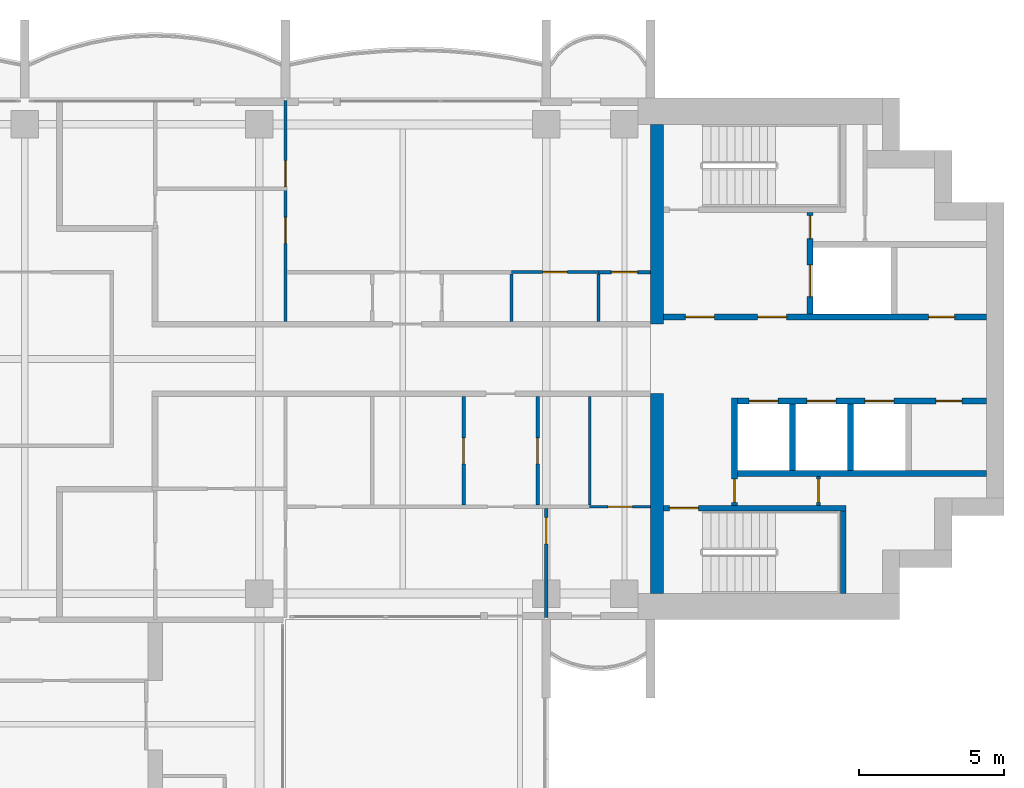
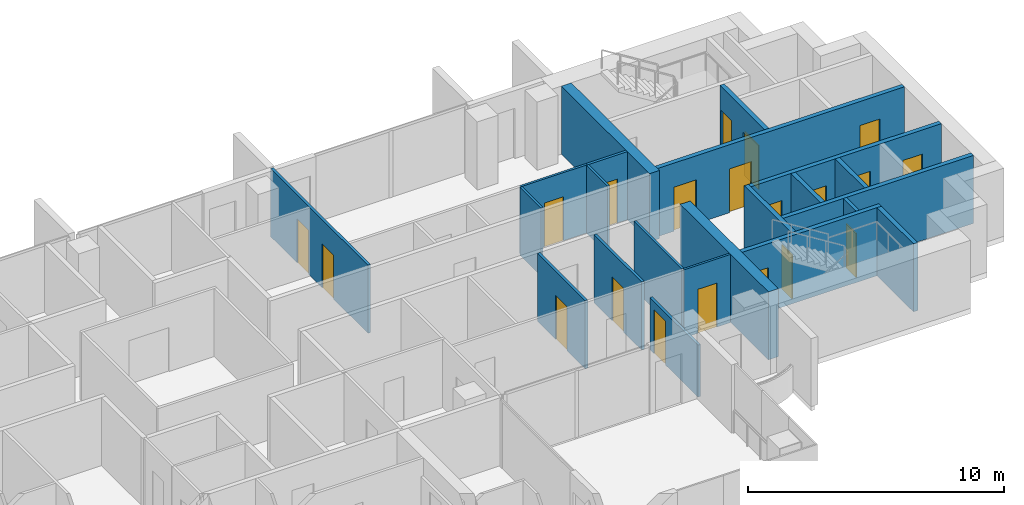
# One storey, part 12 of 17: 22 walls, 20 doors, 20 openings.
"""IFC4 building model written with IfcOpenShell, lengths in metres."""

import ifcopenshell
import ifcopenshell.guid

model = None  # the IFC model being written
_history = None  # IfcOwnerHistory: only IFC2X3 demands one
_inside = {}  # id of a spatial element -> (the spatial element, [elements in it])
_under = {}  # id of a project, library or spatial element -> (it, [spatial elements below it])
_declared = {}  # id of a project -> (the project, [libraries it declares])
_typed = {}  # id of a type object -> (the type object, [elements of that type])
_made_of = {}  # id of a material, layer set ... -> (it, [elements and type objects made of it])


def new_model(schema):
    """Start an empty IFC model of exactly this schema.

    Asked for "IFC4X3", IfcOpenShell would pick the latest addendum, in which some entities
    have other attributes; the version numbers below select the first issue.
    IFC2X3 requires an IfcOwnerHistory on every rooted entity: one is made here for all.
    """
    global model, _history
    if schema == "IFC4X3":
        model = ifcopenshell.file(schema_version=(4, 3, 0, 0))
    else:
        model = ifcopenshell.file(schema=schema)
    _inside.clear()
    _under.clear()
    _declared.clear()
    _typed.clear()
    _made_of.clear()
    _history = None
    if model.schema == "IFC2X3":
        org = make("IfcOrganization", Name="unknown")
        user = make(
            "IfcPersonAndOrganization",
            ThePerson=make("IfcPerson", FamilyName="unknown"),
            TheOrganization=org,
        )
        app = make(
            "IfcApplication",
            ApplicationDeveloper=org,
            Version="unknown",
            ApplicationFullName="unknown",
            ApplicationIdentifier="unknown",
        )
        _history = make(
            "IfcOwnerHistory",
            OwningUser=user,
            OwningApplication=app,
            ChangeAction="ADDED",
            CreationDate=0,
        )
    return model


def make(cls, **values):
    """One entity of the class cls with the attributes given. An attribute that is None is left unset."""
    return model.create_entity(
        cls, **{name: value for name, value in values.items() if value is not None}
    )


def rooted(cls, **values):
    """An entity with a GlobalId (a new one), such as an element, a storey or a relation."""
    return make(cls, GlobalId=ifcopenshell.guid.new(), OwnerHistory=_history, **values)


def si_unit(unit_type, name, prefix=None):
    """IfcSIUnit, for example si_unit("LENGTHUNIT", "METRE", prefix="MILLI")."""
    return make("IfcSIUnit", UnitType=unit_type, Prefix=prefix, Name=name)


def assignment(units):
    """IfcUnitAssignment: the units of a project."""
    return None if units is None else make("IfcUnitAssignment", Units=units)


def point(xyz):
    """IfcCartesianPoint."""
    return None if xyz is None else make("IfcCartesianPoint", Coordinates=xyz)


def direction(xyz):
    """IfcDirection."""
    return None if xyz is None else make("IfcDirection", DirectionRatios=xyz)


def frame(location, z_axis=None, x_axis=None):
    """IfcAxis2Placement3D, a coordinate frame: its origin and axes. An axis left out is left unset."""
    return make(
        "IfcAxis2Placement3D",
        Location=point(location),
        Axis=direction(z_axis),
        RefDirection=direction(x_axis),
    )


def frame_2d(location, x_axis=None):
    """IfcAxis2Placement2D, a coordinate frame in the plane: its origin and x axis."""
    return make(
        "IfcAxis2Placement2D", Location=point(location), RefDirection=direction(x_axis)
    )


def origin():
    """The frame at (0, 0, 0) with its axes left unset."""
    return frame((0.0, 0.0, 0.0))


def place(relative_to, where):
    """IfcLocalPlacement: puts the frame where relative to a parent placement (None: the world)."""
    return make(
        "IfcLocalPlacement", PlacementRelTo=relative_to, RelativePlacement=where
    )


def context(
    kind, dimensions, precision=None, world=None, true_north=None, identifier=None
):
    """IfcGeometricRepresentationContext, for example the 3D "Model" context."""
    return make(
        "IfcGeometricRepresentationContext",
        ContextIdentifier=identifier,
        ContextType=kind,
        CoordinateSpaceDimension=dimensions,
        Precision=precision,
        WorldCoordinateSystem=world,
        TrueNorth=true_north,
    )


def subcontext(parent, identifier, kind, view, scale=None):
    """IfcGeometricRepresentationSubContext, for example "Body" below "Model"."""
    return make(
        "IfcGeometricRepresentationSubContext",
        ContextIdentifier=identifier,
        ContextType=kind,
        ParentContext=parent,
        TargetScale=scale,
        TargetView=view,
    )


def project(units=None, contexts=None):
    """IfcProject with its units and contexts."""
    return rooted(
        "IfcProject",
        Name="project",
        RepresentationContexts=contexts,
        UnitsInContext=assignment(units),
    )


def spatial(cls, under=None, at=None, **own):
    """A site, building, storey or space (cls), placed at a placement, below another one or the project."""
    s = rooted(cls, ObjectPlacement=at, **own)
    if under is not None:
        _under.setdefault(under.id(), (under, []))[1].append(s)
    return s


def profile(cls, at=None, kind="AREA", **sizes):
    """A parametric profile (cls). Its sizes go by their IFC names, for example OverallWidth=200.0."""
    return make(cls, ProfileType=kind, Position=at, **sizes)


def rectangle(**sizes):
    """IfcRectangleProfileDef."""
    return profile("IfcRectangleProfileDef", **sizes)


def extrude(swept, where, along, depth):
    """IfcExtrudedAreaSolid: the profile swept, set in the frame where, extruded along a direction by depth."""
    return make(
        "IfcExtrudedAreaSolid",
        SweptArea=swept,
        Position=where,
        ExtrudedDirection=direction(along),
        Depth=depth,
    )


def shape(context_of_items, identifier, shape_type, items):
    """IfcShapeRepresentation: the items that make up one representation, for example the "Body"."""
    return make(
        "IfcShapeRepresentation",
        ContextOfItems=context_of_items,
        RepresentationIdentifier=identifier,
        RepresentationType=shape_type,
        Items=items,
    )


def material(Name=None, Category=None):
    """IfcMaterial."""
    return make("IfcMaterial", Name=Name, Category=Category)


def layer(
    of_material, thickness, ventilated=None, Name=None, Category=None, Priority=None
):
    """IfcMaterialLayer: one layer of a wall or slab, of a material (None: an air gap)."""
    return make(
        "IfcMaterialLayer",
        Material=of_material,
        LayerThickness=thickness,
        IsVentilated=ventilated,
        Name=Name,
        Category=Category,
        Priority=Priority,
    )


def layer_set(layers, Name=None):
    """IfcMaterialLayerSet."""
    return make("IfcMaterialLayerSet", MaterialLayers=layers, LayerSetName=Name)


def made_of(thing, what):
    """Note that an element or type object is made of a material, layer set ...; save() writes the relation."""
    if what is not None:
        _made_of.setdefault(what.id(), (what, []))[1].append(thing)
    return thing


def type_object(cls, material=None, **own):
    """A type object (cls), such as IfcWallType, which elements share."""
    return made_of(rooted(cls, **own), material)


def element(
    cls,
    number,
    at=None,
    inside=None,
    cuts=None,
    type_object=None,
    material=None,
    context=None,
    identifier="Body",
    shape_type=None,
    held_by="IfcProductDefinitionShape",
    body=None,
    shapes=None,
    **own,
):
    """One element of the class cls, such as IfcWall. Its Tag is "e" and its number.

    at: its placement. inside: the storey or other place that contains it. cuts: it is an
    opening in that element (IfcRelVoidsElement). A single representation is given by context,
    identifier, shape_type and body (its items); several are given by shapes. held_by: the class
    of the entity that holds the representations. save() writes the other relations.
    """
    e = rooted(cls, Tag="e%d" % number, ObjectPlacement=at, **own)
    if body is not None:
        shapes = [shape(context, identifier, shape_type, body)]
    if shapes is not None:
        e.Representation = make(held_by, Representations=shapes)
    if inside is not None:
        _inside.setdefault(inside.id(), (inside, []))[1].append(e)
    if cuts is not None:
        rooted(
            "IfcRelVoidsElement", RelatingBuildingElement=cuts, RelatedOpeningElement=e
        )
    if type_object is not None:
        _typed.setdefault(type_object.id(), (type_object, []))[1].append(e)
    return made_of(e, material)


def fill(opening, filler):
    """IfcRelFillsElement: the door or window that sits in an opening."""
    return rooted(
        "IfcRelFillsElement",
        RelatingOpeningElement=opening,
        RelatedBuildingElement=filler,
    )


def aggregate(whole, parts):
    """IfcRelAggregates: a whole, such as a stair, and the parts it consists of."""
    return rooted("IfcRelAggregates", RelatingObject=whole, RelatedObjects=parts)


def save(model, path):
    """Write the relations noted so far, then the file.

    IfcRelAggregates (storeys below a building ...), IfcRelContainedInSpatialStructure (elements
    in a storey), IfcRelDefinesByType, IfcRelAssociatesMaterial and IfcRelDeclares: one each for
    every whole, place, type object, material and project.
    """
    for whole, parts in _under.values():
        aggregate(whole, parts)
    for where, things in _inside.values():
        rooted(
            "IfcRelContainedInSpatialStructure",
            RelatedElements=things,
            RelatingStructure=where,
        )
    for kind, things in _typed.values():
        rooted("IfcRelDefinesByType", RelatedObjects=things, RelatingType=kind)
    for what, things in _made_of.values():
        rooted("IfcRelAssociatesMaterial", RelatedObjects=things, RelatingMaterial=what)
    for by, libraries in _declared.values():
        rooted("IfcRelDeclares", RelatingContext=by, RelatedDefinitions=libraries)
    model.write(path)


model = new_model("IFC4")

# Units and contexts
model_context = context("Model", 3, precision=1e-05, world=origin(), true_north=direction((0.0, 1.0)))
body_context = subcontext(model_context, "Body", "Model", "MODEL_VIEW")
ifc_project = project(units=[si_unit("LENGTHUNIT", "METRE"), si_unit("AREAUNIT", "SQUARE_METRE"), si_unit("VOLUMEUNIT", "CUBIC_METRE"), si_unit("PLANEANGLEUNIT", "RADIAN"), si_unit("MASSUNIT", "GRAM", prefix="KILO")], contexts=[model_context])

# Site, building, storey
site_placement = place(None, origin())
site = spatial("IfcSite", under=ifc_project, at=site_placement, CompositionType="ELEMENT")
building_placement = place(site_placement, origin())
building = spatial("IfcBuilding", under=site, at=building_placement, Name="Perihelion Cross Residences", CompositionType="ELEMENT")
storey_placement = place(building_placement, frame((0.0, 0.0, 212.10009765625)))
storey = spatial("IfcBuildingStorey", under=building, at=storey_placement, Name="L53", CompositionType="ELEMENT", Elevation=212.10009765625)

# Walls
ifc_material_1 = material(Name="Concrete C60/75", Category="concrete")
ifc_layer_1 = layer(ifc_material_1, 0.449951171875)
ifc_layer_set_1 = layer_set([ifc_layer_1], Name="Core wall, inner 450")
wall_type_1 = type_object("IfcWallType", Name="Core wall, inner 450", PredefinedType="SHEAR", material=ifc_layer_set_1)
for number, where, z_axis, x_axis, name in (
    (1, (21.824951171875, -8.10009765625, 0.0), (0.0, 0.0, 1.0), (0.0, 1.0, 0.0), "East core core wall, inner"),
    (2, (21.824951171875, 1.199951171875, 0.0), (0.0, 0.0, 1.0), (0.0, 1.0, 0.0), "East core core wall, inner"),
):
    element("IfcWall", number, at=place(storey_placement, frame(where, z_axis=z_axis, x_axis=x_axis)), inside=storey, type_object=wall_type_1, Name=name, PredefinedType="SHEAR", context=body_context, shape_type="SweptSolid", body=[
        extrude(rectangle(XDim=6.900146484375, YDim=0.449951171875, at=frame_2d((3.4501953125, 0.0))), origin(), (0.0, 0.0, 1.0), 3.25),
    ])

# Wall, opening, door
ifc_material_2 = material(Name="Concrete C50/60", Category="concrete")
ifc_layer_2 = layer(ifc_material_2, 0.199951171875)
ifc_layer_set_2 = layer_set([ifc_layer_2], Name="Lobby wall 200")
wall_type_2 = type_object("IfcWallType", Name="Lobby wall 200", PredefinedType="SOLIDWALL", material=ifc_layer_set_2)
wall_1_placement = place(storey_placement, frame((24.5, -5.050048828125, 0.0), z_axis=(0.0, 0.0, 1.0), x_axis=(0.0, 1.0, 0.0)))
wall_1 = element("IfcWall", 3, at=wall_1_placement, inside=storey, type_object=wall_type_2, Name="East core lobby wall", PredefinedType="SOLIDWALL", context=body_context, shape_type="SweptSolid", body=[
    extrude(rectangle(XDim=3.699951171875, YDim=0.199951171875, at=frame_2d((1.85009765625, 0.0))), origin(), (0.0, 0.0, 1.0), 3.25),
])
opening_1_placement = place(wall_1_placement, frame((0.10009765625, 0.0, 0.0)))
opening_1 = element("IfcOpeningElement", 4, at=opening_1_placement, cuts=wall_1, Name="Opening L53.C08", PredefinedType="OPENING", context=body_context, shape_type="SweptSolid", body=[
    extrude(rectangle(XDim=0.800048828125, YDim=2.10009765625, at=frame_2d((0.39990234375, 1.050048828125))), frame((0.0, 0.10986328125, 0.0), z_axis=(0.0, -1.0, 0.0), x_axis=(1.0, 0.0, 0.0)), (0.0, 0.0, 1.0), 0.219970703125),
])
ifc_material_3 = material(Name="Steel, powder coated", Category="steel")
door_type_1 = type_object("IfcDoorType", Name="Riser door 800", OperationType="SINGLE_SWING_LEFT", PredefinedType="DOOR", material=ifc_material_3)
door_1_placement = place(opening_1_placement, origin())
door_1 = element("IfcDoor", 5, at=door_1_placement, inside=storey, type_object=door_type_1, Name="East core riser door", OperationType="SINGLE_SWING_LEFT", OverallHeight=2.10009765625, OverallWidth=0.800048828125, PredefinedType="DOOR", context=body_context, shape_type="SweptSolid", body=[
    extrude(rectangle(XDim=0.800048828125, YDim=2.10009765625, at=frame_2d((0.39990234375, 1.050048828125))), frame((0.0, 0.02490234375, 0.0), z_axis=(0.0, -1.0, 0.0), x_axis=(1.0, 0.0, 0.0)), (0.0, 0.0, 1.0), 0.050048828125),
])
fill(opening_1, door_1)

# Wall, openings, doors
ifc_material_4 = material(Name="Plasterboard partition")
ifc_layer_3 = layer(ifc_material_4, 0.1201171875)
ifc_layer_set_3 = layer_set([ifc_layer_3], Name="Partition wall 120")
wall_type_3 = type_object("IfcWallType", Name="Partition wall 120", PredefinedType="PARTITIONING", material=ifc_layer_set_3)
wall_2_placement = place(storey_placement, frame((9.0, 1.300048828125, 0.0), z_axis=(0.0, 0.0, 1.0), x_axis=(0.0, 1.0, 0.0)))
wall_2 = element("IfcWall", 6, at=wall_2_placement, inside=storey, type_object=wall_type_3, Name="Partition L53 W024", PredefinedType="PARTITIONING", context=body_context, shape_type="SweptSolid", body=[
    extrude(rectangle(XDim=7.619873046875, YDim=0.1201171875, at=frame_2d((3.81005859375, 0.0))), origin(), (0.0, 0.0, 1.0), 3.25),
])
opening_2_placement = place(wall_2_placement, frame((2.68994140625, 0.0, 0.0)))
opening_2 = element("IfcOpeningElement", 7, at=opening_2_placement, cuts=wall_2, Name="Opening L53.A04", PredefinedType="OPENING", context=body_context, shape_type="SweptSolid", body=[
    extrude(rectangle(XDim=0.89990234375, YDim=2.10009765625, at=frame_2d((0.449951171875, 1.050048828125))), frame((0.0, 0.070068359375, 0.0), z_axis=(0.0, -1.0, 0.0), x_axis=(1.0, 0.0, 0.0)), (0.0, 0.0, 1.0), 0.14013671875),
])
opening_3_placement = place(wall_2_placement, frame((4.64990234375, 0.0, 0.0)))
opening_3 = element("IfcOpeningElement", 8, at=opening_3_placement, cuts=wall_2, Name="Opening L53.A06", PredefinedType="OPENING", context=body_context, shape_type="SweptSolid", body=[
    extrude(rectangle(XDim=0.89990234375, YDim=2.10009765625, at=frame_2d((0.449951171875, 1.050048828125))), frame((0.0, 0.070068359375, 0.0), z_axis=(0.0, -1.0, 0.0), x_axis=(1.0, 0.0, 0.0)), (0.0, 0.0, 1.0), 0.14013671875),
])
ifc_material_5 = material(Name="Timber door leaf", Category="wood")
door_type_2 = type_object("IfcDoorType", Name="Interior room door 900 x 2100", OperationType="SINGLE_SWING_LEFT", PredefinedType="DOOR", material=ifc_material_5)
door_2_placement = place(opening_2_placement, origin())
door_2 = element("IfcDoor", 9, at=door_2_placement, inside=storey, type_object=door_type_2, Name="Door L53.A04", OperationType="SINGLE_SWING_RIGHT", OverallHeight=2.10009765625, OverallWidth=0.89990234375, PredefinedType="DOOR", context=body_context, shape_type="SweptSolid", body=[
    extrude(rectangle(XDim=0.89990234375, YDim=2.10009765625, at=frame_2d((0.449951171875, 1.050048828125))), frame((0.0, 0.02490234375, 0.0), z_axis=(0.0, -1.0, 0.0), x_axis=(1.0, 0.0, 0.0)), (0.0, 0.0, 1.0), 0.050048828125),
])
fill(opening_2, door_2)
door_3_placement = place(opening_3_placement, origin())
door_3 = element("IfcDoor", 10, at=door_3_placement, inside=storey, type_object=door_type_2, Name="Door L53.A06", OperationType="SINGLE_SWING_RIGHT", OverallHeight=2.10009765625, OverallWidth=0.89990234375, PredefinedType="DOOR", context=body_context, shape_type="SweptSolid", body=[
    extrude(rectangle(XDim=0.89990234375, YDim=2.10009765625, at=frame_2d((0.449951171875, 1.050048828125))), frame((0.0, 0.02490234375, 0.0), z_axis=(0.0, -1.0, 0.0), x_axis=(1.0, 0.0, 0.0)), (0.0, 0.0, 1.0), 0.050048828125),
])
fill(opening_3, door_3)

# Wall, opening, door
wall_3_placement = place(storey_placement, frame((19.800048828125, 3.0, 0.0), z_axis=(0.0, 0.0, 1.0), x_axis=(1.0, 0.0, 0.0)))
wall_3 = element("IfcWall", 11, at=wall_3_placement, inside=storey, type_object=wall_type_3, Name="Partition L53 W029", PredefinedType="PARTITIONING", context=body_context, shape_type="SweptSolid", body=[
    extrude(rectangle(XDim=1.800048828125, YDim=0.1201171875, at=frame_2d((0.89990234375, 0.0))), origin(), (0.0, 0.0, 1.0), 3.25),
])
opening_4_placement = place(wall_3_placement, frame((0.449951171875, 0.0, 0.0)))
opening_4 = element("IfcOpeningElement", 12, at=opening_4_placement, cuts=wall_3, Name="Opening L53.A07", PredefinedType="OPENING", context=body_context, shape_type="SweptSolid", body=[
    extrude(rectangle(XDim=0.89990234375, YDim=2.10009765625, at=frame_2d((0.449951171875, 1.050048828125))), frame((0.0, 0.070068359375, 0.0), z_axis=(0.0, -1.0, 0.0), x_axis=(1.0, 0.0, 0.0)), (0.0, 0.0, 1.0), 0.14013671875),
])
door_4_placement = place(opening_4_placement, origin())
door_4 = element("IfcDoor", 13, at=door_4_placement, inside=storey, type_object=door_type_2, Name="Door L53.A07", OperationType="SINGLE_SWING_RIGHT", OverallHeight=2.10009765625, OverallWidth=0.89990234375, PredefinedType="DOOR", context=body_context, shape_type="SweptSolid", body=[
    extrude(rectangle(XDim=0.89990234375, YDim=2.10009765625, at=frame_2d((0.449951171875, 1.050048828125))), frame((0.0, 0.02490234375, 0.0), z_axis=(0.0, -1.0, 0.0), x_axis=(1.0, 0.0, 0.0)), (0.0, 0.0, 1.0), 0.050048828125),
])
fill(opening_4, door_4)

wall_4_placement = place(storey_placement, frame((15.14990234375, -1.300048828125, 0.0), z_axis=(0.0, 0.0, 1.0), x_axis=(0.0, -1.0, 0.0)))
wall_4 = element("IfcWall", 14, at=wall_4_placement, inside=storey, type_object=wall_type_3, Name="Partition L53 W035", PredefinedType="PARTITIONING", context=body_context, shape_type="SweptSolid", body=[
    extrude(rectangle(XDim=3.739990234375, YDim=0.1201171875, at=frame_2d((1.8701171875, 0.0))), origin(), (0.0, 0.0, 1.0), 3.25),
])
opening_5_placement = place(wall_4_placement, frame((1.419921875, 0.0, 0.0)))
opening_5 = element("IfcOpeningElement", 15, at=opening_5_placement, cuts=wall_4, Name="Opening L53.A18", PredefinedType="OPENING", context=body_context, shape_type="SweptSolid", body=[
    extrude(rectangle(XDim=0.89990234375, YDim=2.10009765625, at=frame_2d((0.449951171875, 1.050048828125))), frame((0.0, 0.070068359375, 0.0), z_axis=(0.0, -1.0, 0.0), x_axis=(1.0, 0.0, 0.0)), (0.0, 0.0, 1.0), 0.14013671875),
])
door_5_placement = place(opening_5_placement, origin())
door_5 = element("IfcDoor", 16, at=door_5_placement, inside=storey, type_object=door_type_2, Name="Door L53.A18", OperationType="SINGLE_SWING_LEFT", OverallHeight=2.10009765625, OverallWidth=0.89990234375, PredefinedType="DOOR", context=body_context, shape_type="SweptSolid", body=[
    extrude(rectangle(XDim=0.89990234375, YDim=2.10009765625, at=frame_2d((0.449951171875, 1.050048828125))), frame((0.0, 0.02490234375, 0.0), z_axis=(0.0, -1.0, 0.0), x_axis=(1.0, 0.0, 0.0)), (0.0, 0.0, 1.0), 0.050048828125),
])
fill(opening_5, door_5)

wall_5_placement = place(storey_placement, frame((17.699951171875, -1.300048828125, 0.0), z_axis=(0.0, 0.0, 1.0), x_axis=(0.0, -1.0, 0.0)))
wall_5 = element("IfcWall", 17, at=wall_5_placement, inside=storey, type_object=wall_type_3, Name="Partition L53 W036", PredefinedType="PARTITIONING", context=body_context, shape_type="SweptSolid", body=[
    extrude(rectangle(XDim=3.739990234375, YDim=0.1201171875, at=frame_2d((1.8701171875, 0.0))), origin(), (0.0, 0.0, 1.0), 3.25),
])
opening_6_placement = place(wall_5_placement, frame((1.419921875, 0.0, 0.0)))
opening_6 = element("IfcOpeningElement", 18, at=opening_6_placement, cuts=wall_5, Name="Opening L53.A17", PredefinedType="OPENING", context=body_context, shape_type="SweptSolid", body=[
    extrude(rectangle(XDim=0.89990234375, YDim=2.10009765625, at=frame_2d((0.449951171875, 1.050048828125))), frame((0.0, 0.070068359375, 0.0), z_axis=(0.0, -1.0, 0.0), x_axis=(1.0, 0.0, 0.0)), (0.0, 0.0, 1.0), 0.14013671875),
])
door_6_placement = place(opening_6_placement, origin())
door_6 = element("IfcDoor", 19, at=door_6_placement, inside=storey, type_object=door_type_2, Name="Door L53.A17", OperationType="SINGLE_SWING_LEFT", OverallHeight=2.10009765625, OverallWidth=0.89990234375, PredefinedType="DOOR", context=body_context, shape_type="SweptSolid", body=[
    extrude(rectangle(XDim=0.89990234375, YDim=2.10009765625, at=frame_2d((0.449951171875, 1.050048828125))), frame((0.0, 0.02490234375, 0.0), z_axis=(0.0, -1.0, 0.0), x_axis=(1.0, 0.0, 0.0)), (0.0, 0.0, 1.0), 0.050048828125),
])
fill(opening_6, door_6)

wall_6_placement = place(storey_placement, frame((18.0, -5.159912109375, 0.0), z_axis=(0.0, 0.0, 1.0), x_axis=(0.0, -1.0, 0.0)))
wall_6 = element("IfcWall", 20, at=wall_6_placement, inside=storey, type_object=wall_type_3, Name="Partition L53 W039", PredefinedType="PARTITIONING", context=body_context, shape_type="SweptSolid", body=[
    extrude(rectangle(XDim=3.760009765625, YDim=0.1201171875, at=frame_2d((1.8798828125, 0.0))), origin(), (0.0, 0.0, 1.0), 2.47998046875),
])
opening_7_placement = place(wall_6_placement, frame((0.320068359375, 0.0, 0.0)))
opening_7 = element("IfcOpeningElement", 21, at=opening_7_placement, cuts=wall_6, Name="Opening L53.A10", PredefinedType="OPENING", context=body_context, shape_type="SweptSolid", body=[
    extrude(rectangle(XDim=0.89990234375, YDim=2.10009765625, at=frame_2d((0.449951171875, 1.050048828125))), frame((0.0, 0.070068359375, 0.0), z_axis=(0.0, -1.0, 0.0), x_axis=(1.0, 0.0, 0.0)), (0.0, 0.0, 1.0), 0.14013671875),
])
door_7_placement = place(opening_7_placement, origin())
door_7 = element("IfcDoor", 22, at=door_7_placement, inside=storey, type_object=door_type_2, Name="Door L53.A10", OperationType="SINGLE_SWING_LEFT", OverallHeight=2.10009765625, OverallWidth=0.89990234375, PredefinedType="DOOR", context=body_context, shape_type="SweptSolid", body=[
    extrude(rectangle(XDim=0.89990234375, YDim=2.10009765625, at=frame_2d((0.449951171875, 1.050048828125))), frame((0.0, 0.02490234375, 0.0), z_axis=(0.0, -1.0, 0.0), x_axis=(1.0, 0.0, 0.0)), (0.0, 0.0, 1.0), 0.050048828125),
])
fill(opening_7, door_7)

ifc_material_6 = material(Name="Fire-rated board on steel stud", Category="steel")
ifc_layer_4 = layer(ifc_material_6, 0.14990234375)
ifc_layer_set_4 = layer_set([ifc_layer_4], Name="Riser wall 150")
wall_type_4 = type_object("IfcWallType", Name="Riser wall 150", PredefinedType="PARTITIONING", material=ifc_layer_set_4)
wall_7_placement = place(storey_placement, frame((27.39990234375, -5.050048828125, 0.0), z_axis=(0.0, 0.0, 1.0), x_axis=(0.0, 1.0, 0.0)))
wall_7 = element("IfcWall", 23, at=wall_7_placement, inside=storey, type_object=wall_type_4, Name="East core riser wall", PredefinedType="PARTITIONING", context=body_context, shape_type="SweptSolid", body=[
    extrude(rectangle(XDim=1.0, YDim=0.14990234375, at=frame_2d((0.5, 0.0))), origin(), (0.0, 0.0, 1.0), 3.25),
])
opening_8_placement = place(wall_7_placement, frame((0.10009765625, 0.0, 0.0)))
opening_8 = element("IfcOpeningElement", 24, at=opening_8_placement, cuts=wall_7, Name="Opening L53.C11", PredefinedType="OPENING", context=body_context, shape_type="SweptSolid", body=[
    extrude(rectangle(XDim=0.800048828125, YDim=2.10009765625, at=frame_2d((0.39990234375, 1.050048828125))), frame((0.0, 0.0849609375, 0.0), z_axis=(0.0, -1.0, 0.0), x_axis=(1.0, 0.0, 0.0)), (0.0, 0.0, 1.0), 0.169921875),
])
door_8_placement = place(opening_8_placement, origin())
door_8 = element("IfcDoor", 25, at=door_8_placement, inside=storey, type_object=door_type_1, Name="East core riser door", OperationType="SINGLE_SWING_LEFT", OverallHeight=2.10009765625, OverallWidth=0.800048828125, PredefinedType="DOOR", context=body_context, shape_type="SweptSolid", body=[
    extrude(rectangle(XDim=0.800048828125, YDim=2.10009765625, at=frame_2d((0.39990234375, 1.050048828125))), frame((0.0, 0.02490234375, 0.0), z_axis=(0.0, -1.0, 0.0), x_axis=(1.0, 0.0, 0.0)), (0.0, 0.0, 1.0), 0.050048828125),
])
fill(opening_8, door_8)

# Wall, openings, doors
ifc_material_7 = material(Name="Concrete C50/60", Category="concrete")
ifc_layer_5 = layer(ifc_material_7, 0.199951171875)
ifc_layer_set_5 = layer_set([ifc_layer_5], Name="Shaft wall 200")
wall_type_5 = type_object("IfcWallType", Name="Shaft wall 200", PredefinedType="SOLIDWALL", material=ifc_layer_set_5)
wall_8_placement = place(storey_placement, frame((22.050048828125, 1.449951171875, 0.0), z_axis=(0.0, 0.0, 1.0), x_axis=(1.0, 0.0, 0.0)))
wall_8 = element("IfcWall", 26, at=wall_8_placement, inside=storey, type_object=wall_type_5, Name="East core shaft wall", PredefinedType="SOLIDWALL", context=body_context, shape_type="SweptSolid", body=[
    extrude(rectangle(XDim=11.14990234375, YDim=0.199951171875, at=frame_2d((5.574951171875, 0.0))), origin(), (0.0, 0.0, 1.0), 3.25),
])
opening_9_placement = place(wall_8_placement, frame((0.75, 0.0, 0.0)))
opening_9 = element("IfcOpeningElement", 27, at=opening_9_placement, cuts=wall_8, Name="Opening L53.C07", PredefinedType="OPENING", context=body_context, shape_type="SweptSolid", body=[
    extrude(rectangle(XDim=1.0, YDim=2.10009765625, at=frame_2d((0.5, 1.050048828125))), frame((0.0, 0.10986328125, 0.0), z_axis=(0.0, -1.0, 0.0), x_axis=(1.0, 0.0, 0.0)), (0.0, 0.0, 1.0), 0.219970703125),
])
opening_10_placement = place(wall_8_placement, frame((3.25, 0.0, 0.0)))
opening_10 = element("IfcOpeningElement", 28, at=opening_10_placement, cuts=wall_8, Name="Opening L53.C09", PredefinedType="OPENING", context=body_context, shape_type="SweptSolid", body=[
    extrude(rectangle(XDim=1.0, YDim=2.10009765625, at=frame_2d((0.5, 1.050048828125))), frame((0.0, 0.10986328125, 0.0), z_axis=(0.0, -1.0, 0.0), x_axis=(1.0, 0.0, 0.0)), (0.0, 0.0, 1.0), 0.219970703125),
])
opening_11_placement = place(wall_8_placement, frame((9.14990234375, 0.0, 0.0)))
opening_11 = element("IfcOpeningElement", 29, at=opening_11_placement, cuts=wall_8, Name="Opening L53.C13", PredefinedType="OPENING", context=body_context, shape_type="SweptSolid", body=[
    extrude(rectangle(XDim=0.89990234375, YDim=2.10009765625, at=frame_2d((0.449951171875, 1.050048828125))), frame((0.0, 0.10986328125, 0.0), z_axis=(0.0, -1.0, 0.0), x_axis=(1.0, 0.0, 0.0)), (0.0, 0.0, 1.0), 0.219970703125),
])
ifc_material_8 = material(Name="Steel, powder coated", Category="steel")
door_type_3 = type_object("IfcDoorType", Name="Lobby door 1000", OperationType="SINGLE_SWING_LEFT", PredefinedType="DOOR", material=ifc_material_8)
door_9_placement = place(opening_9_placement, origin())
door_9 = element("IfcDoor", 30, at=door_9_placement, inside=storey, type_object=door_type_3, Name="East core firefighting lobby door", OperationType="SINGLE_SWING_LEFT", OverallHeight=2.10009765625, OverallWidth=1.0, PredefinedType="DOOR", context=body_context, shape_type="SweptSolid", body=[
    extrude(rectangle(XDim=1.0, YDim=2.10009765625, at=frame_2d((0.5, 1.050048828125))), frame((0.0, 0.02490234375, 0.0), z_axis=(0.0, -1.0, 0.0), x_axis=(1.0, 0.0, 0.0)), (0.0, 0.0, 1.0), 0.050048828125),
])
fill(opening_9, door_9)
door_10_placement = place(opening_10_placement, origin())
door_10 = element("IfcDoor", 31, at=door_10_placement, inside=storey, type_object=door_type_3, Name="East core firefighting lobby door", OperationType="SINGLE_SWING_LEFT", OverallHeight=2.10009765625, OverallWidth=1.0, PredefinedType="DOOR", context=body_context, shape_type="SweptSolid", body=[
    extrude(rectangle(XDim=1.0, YDim=2.10009765625, at=frame_2d((0.5, 1.050048828125))), frame((0.0, 0.02490234375, 0.0), z_axis=(0.0, -1.0, 0.0), x_axis=(1.0, 0.0, 0.0)), (0.0, 0.0, 1.0), 0.050048828125),
])
fill(opening_10, door_10)
ifc_material_9 = material(Name="Steel, powder coated", Category="steel")
door_type_4 = type_object("IfcDoorType", Name="Service room door 900", OperationType="SINGLE_SWING_LEFT", PredefinedType="DOOR", material=ifc_material_9)
door_11_placement = place(opening_11_placement, origin())
door_11 = element("IfcDoor", 32, at=door_11_placement, inside=storey, type_object=door_type_4, Name="East core service room door", OperationType="SINGLE_SWING_LEFT", OverallHeight=2.10009765625, OverallWidth=0.89990234375, PredefinedType="DOOR", context=body_context, shape_type="SweptSolid", body=[
    extrude(rectangle(XDim=0.89990234375, YDim=2.10009765625, at=frame_2d((0.449951171875, 1.050048828125))), frame((0.0, 0.02490234375, 0.0), z_axis=(0.0, -1.0, 0.0), x_axis=(1.0, 0.0, 0.0)), (0.0, 0.0, 1.0), 0.050048828125),
])
fill(opening_11, door_11)

wall_9_placement = place(storey_placement, frame((24.60009765625, -1.449951171875, 0.0), z_axis=(0.0, 0.0, 1.0), x_axis=(1.0, 0.0, 0.0)))
wall_9 = element("IfcWall", 33, at=wall_9_placement, inside=storey, type_object=wall_type_5, Name="East core shaft wall", PredefinedType="SOLIDWALL", context=body_context, shape_type="SweptSolid", body=[
    extrude(rectangle(XDim=8.599853515625, YDim=0.199951171875, at=frame_2d((4.2998046875, 0.0))), origin(), (0.0, 0.0, 1.0), 3.25),
])
opening_12_placement = place(wall_9_placement, frame((0.39990234375, 0.0, 0.0)))
opening_12 = element("IfcOpeningElement", 34, at=opening_12_placement, cuts=wall_9, Name="Opening L53.C01", PredefinedType="OPENING", context=body_context, shape_type="SweptSolid", body=[
    extrude(rectangle(XDim=1.0, YDim=2.10009765625, at=frame_2d((0.5, 1.050048828125))), frame((0.0, 0.10986328125, 0.0), z_axis=(0.0, -1.0, 0.0), x_axis=(1.0, 0.0, 0.0)), (0.0, 0.0, 1.0), 0.219970703125),
])
opening_13_placement = place(wall_9_placement, frame((2.39990234375, 0.0, 0.0)))
opening_13 = element("IfcOpeningElement", 35, at=opening_13_placement, cuts=wall_9, Name="Opening L53.C03", PredefinedType="OPENING", context=body_context, shape_type="SweptSolid", body=[
    extrude(rectangle(XDim=1.0, YDim=2.10009765625, at=frame_2d((0.5, 1.050048828125))), frame((0.0, 0.10986328125, 0.0), z_axis=(0.0, -1.0, 0.0), x_axis=(1.0, 0.0, 0.0)), (0.0, 0.0, 1.0), 0.219970703125),
])
opening_14_placement = place(wall_9_placement, frame((4.39990234375, 0.0, 0.0)))
opening_14 = element("IfcOpeningElement", 36, at=opening_14_placement, cuts=wall_9, Name="Opening L53.C04", PredefinedType="OPENING", context=body_context, shape_type="SweptSolid", body=[
    extrude(rectangle(XDim=1.0, YDim=2.10009765625, at=frame_2d((0.5, 1.050048828125))), frame((0.0, 0.10986328125, 0.0), z_axis=(0.0, -1.0, 0.0), x_axis=(1.0, 0.0, 0.0)), (0.0, 0.0, 1.0), 0.219970703125),
])
opening_15_placement = place(wall_9_placement, frame((6.85009765625, 0.0, 0.0)))
opening_15 = element("IfcOpeningElement", 37, at=opening_15_placement, cuts=wall_9, Name="Opening L53.C14", PredefinedType="OPENING", context=body_context, shape_type="SweptSolid", body=[
    extrude(rectangle(XDim=0.89990234375, YDim=2.10009765625, at=frame_2d((0.449951171875, 1.050048828125))), frame((0.0, 0.10986328125, 0.0), z_axis=(0.0, -1.0, 0.0), x_axis=(1.0, 0.0, 0.0)), (0.0, 0.0, 1.0), 0.219970703125),
])
ifc_material_10 = material(Name="Stainless steel", Category="steel")
door_type_5 = type_object("IfcDoorType", Name="Landing door 1000", OperationType="DOUBLE_DOOR_SLIDING", PredefinedType="DOOR", material=ifc_material_10)
door_12_placement = place(opening_12_placement, origin())
door_12 = element("IfcDoor", 38, at=door_12_placement, inside=storey, type_object=door_type_5, Name="Landing door, East core high-rise lift 1", OperationType="DOUBLE_DOOR_SLIDING", OverallHeight=2.10009765625, OverallWidth=1.0, PredefinedType="DOOR", context=body_context, shape_type="SweptSolid", body=[
    extrude(rectangle(XDim=1.0, YDim=2.10009765625, at=frame_2d((0.5, 1.050048828125))), frame((0.0, 0.02490234375, 0.0), z_axis=(0.0, -1.0, 0.0), x_axis=(1.0, 0.0, 0.0)), (0.0, 0.0, 1.0), 0.050048828125),
])
fill(opening_12, door_12)
door_13_placement = place(opening_13_placement, origin())
door_13 = element("IfcDoor", 39, at=door_13_placement, inside=storey, type_object=door_type_5, Name="Landing door, East core high-rise lift 2", OperationType="DOUBLE_DOOR_SLIDING", OverallHeight=2.10009765625, OverallWidth=1.0, PredefinedType="DOOR", context=body_context, shape_type="SweptSolid", body=[
    extrude(rectangle(XDim=1.0, YDim=2.10009765625, at=frame_2d((0.5, 1.050048828125))), frame((0.0, 0.02490234375, 0.0), z_axis=(0.0, -1.0, 0.0), x_axis=(1.0, 0.0, 0.0)), (0.0, 0.0, 1.0), 0.050048828125),
])
fill(opening_13, door_13)
door_14_placement = place(opening_14_placement, origin())
door_14 = element("IfcDoor", 40, at=door_14_placement, inside=storey, type_object=door_type_5, Name="Landing door, East core high-rise lift 3", OperationType="DOUBLE_DOOR_SLIDING", OverallHeight=2.10009765625, OverallWidth=1.0, PredefinedType="DOOR", context=body_context, shape_type="SweptSolid", body=[
    extrude(rectangle(XDim=1.0, YDim=2.10009765625, at=frame_2d((0.5, 1.050048828125))), frame((0.0, 0.02490234375, 0.0), z_axis=(0.0, -1.0, 0.0), x_axis=(1.0, 0.0, 0.0)), (0.0, 0.0, 1.0), 0.050048828125),
])
fill(opening_14, door_14)
door_15_placement = place(opening_15_placement, origin())
door_15 = element("IfcDoor", 41, at=door_15_placement, inside=storey, type_object=door_type_4, Name="East core service room door", OperationType="SINGLE_SWING_LEFT", OverallHeight=2.10009765625, OverallWidth=0.89990234375, PredefinedType="DOOR", context=body_context, shape_type="SweptSolid", body=[
    extrude(rectangle(XDim=0.89990234375, YDim=2.10009765625, at=frame_2d((0.449951171875, 1.050048828125))), frame((0.0, 0.02490234375, 0.0), z_axis=(0.0, -1.0, 0.0), x_axis=(1.0, 0.0, 0.0)), (0.0, 0.0, 1.0), 0.050048828125),
])
fill(opening_15, door_15)

# Wall
wall_10_placement = place(storey_placement, frame((24.60009765625, -3.949951171875, 0.0), z_axis=(0.0, 0.0, 1.0), x_axis=(1.0, 0.0, 0.0)))
element("IfcWall", 42, at=wall_10_placement, inside=storey, type_object=wall_type_5, Name="East core shaft wall", PredefinedType="SOLIDWALL", context=body_context, shape_type="SweptSolid", body=[
    extrude(rectangle(XDim=8.599853515625, YDim=0.199951171875, at=frame_2d((4.2998046875, 0.0))), origin(), (0.0, 0.0, 1.0), 3.25),
])

# Wall, openings, doors
wall_11_placement = place(storey_placement, frame((27.10009765625, 1.550048828125, 0.0), z_axis=(0.0, 0.0, 1.0), x_axis=(0.0, 1.0, 0.0)))
wall_11 = element("IfcWall", 43, at=wall_11_placement, inside=storey, type_object=wall_type_5, Name="East core shaft wall", PredefinedType="SOLIDWALL", context=body_context, shape_type="SweptSolid", body=[
    extrude(rectangle(XDim=3.5, YDim=0.199951171875, at=frame_2d((1.75, 0.0))), origin(), (0.0, 0.0, 1.0), 3.25),
])
opening_16_placement = place(wall_11_placement, frame((0.60009765625, 0.0, 0.0)))
opening_16 = element("IfcOpeningElement", 44, at=opening_16_placement, cuts=wall_11, Name="Opening L53.C02", PredefinedType="OPENING", context=body_context, shape_type="SweptSolid", body=[
    extrude(rectangle(XDim=1.10009765625, YDim=2.10009765625, at=frame_2d((0.550048828125, 1.050048828125))), frame((0.0, 0.10986328125, 0.0), z_axis=(0.0, -1.0, 0.0), x_axis=(1.0, 0.0, 0.0)), (0.0, 0.0, 1.0), 0.219970703125),
])
opening_17_placement = place(wall_11_placement, frame((2.60009765625, 0.0, 0.0)))
opening_17 = element("IfcOpeningElement", 45, at=opening_17_placement, cuts=wall_11, Name="Opening L53.C10", PredefinedType="OPENING", context=body_context, shape_type="SweptSolid", body=[
    extrude(rectangle(XDim=0.800048828125, YDim=2.10009765625, at=frame_2d((0.39990234375, 1.050048828125))), frame((0.0, 0.10986328125, 0.0), z_axis=(0.0, -1.0, 0.0), x_axis=(1.0, 0.0, 0.0)), (0.0, 0.0, 1.0), 0.219970703125),
])
ifc_material_11 = material(Name="Stainless steel", Category="steel")
door_type_6 = type_object("IfcDoorType", Name="Landing door, firefighting lift 1100", OperationType="DOUBLE_DOOR_SLIDING", PredefinedType="DOOR", material=ifc_material_11)
door_16_placement = place(opening_16_placement, origin())
door_16 = element("IfcDoor", 46, at=door_16_placement, inside=storey, type_object=door_type_6, Name="Landing door, East core firefighting and service lift", OperationType="DOUBLE_DOOR_SLIDING", OverallHeight=2.10009765625, OverallWidth=1.10009765625, PredefinedType="DOOR", context=body_context, shape_type="SweptSolid", body=[
    extrude(rectangle(XDim=1.10009765625, YDim=2.10009765625, at=frame_2d((0.550048828125, 1.050048828125))), frame((0.0, 0.02490234375, 0.0), z_axis=(0.0, -1.0, 0.0), x_axis=(1.0, 0.0, 0.0)), (0.0, 0.0, 1.0), 0.050048828125),
])
fill(opening_16, door_16)
door_17_placement = place(opening_17_placement, origin())
door_17 = element("IfcDoor", 47, at=door_17_placement, inside=storey, type_object=door_type_1, Name="East core riser door", OperationType="SINGLE_SWING_LEFT", OverallHeight=2.10009765625, OverallWidth=0.800048828125, PredefinedType="DOOR", context=body_context, shape_type="SweptSolid", body=[
    extrude(rectangle(XDim=0.800048828125, YDim=2.10009765625, at=frame_2d((0.39990234375, 1.050048828125))), frame((0.0, 0.02490234375, 0.0), z_axis=(0.0, -1.0, 0.0), x_axis=(1.0, 0.0, 0.0)), (0.0, 0.0, 1.0), 0.050048828125),
])
fill(opening_17, door_17)

# Walls
for number, where, z_axis, x_axis, name in (
    (48, (26.5, -3.85009765625, 0.0), (0.0, 0.0, 1.0), (0.0, 1.0, 0.0), "East core shaft wall"),
    (49, (28.5, -3.85009765625, 0.0), (0.0, 0.0, 1.0), (0.0, 1.0, 0.0), "East core shaft wall"),
):
    element("IfcWall", number, at=place(storey_placement, frame(where, z_axis=z_axis, x_axis=x_axis)), inside=storey, type_object=wall_type_5, Name=name, PredefinedType="SOLIDWALL", context=body_context, shape_type="SweptSolid", body=[
        extrude(rectangle(XDim=2.300048828125, YDim=0.199951171875, at=frame_2d((1.14990234375, 0.0))), origin(), (0.0, 0.0, 1.0), 3.25),
    ])

# Wall, opening, door
ifc_material_12 = material(Name="Concrete C50/60", Category="concrete")
ifc_layer_6 = layer(ifc_material_12, 0.199951171875)
ifc_layer_set_6 = layer_set([ifc_layer_6], Name="Stair wall 200")
wall_type_6 = type_object("IfcWallType", Name="Stair wall 200", PredefinedType="SOLIDWALL", material=ifc_layer_set_6)
wall_12_placement = place(storey_placement, frame((22.050048828125, -5.14990234375, 0.0), z_axis=(0.0, 0.0, 1.0), x_axis=(1.0, 0.0, 0.0)))
wall_12 = element("IfcWall", 50, at=wall_12_placement, inside=storey, type_object=wall_type_6, Name="East core stair wall", PredefinedType="SOLIDWALL", context=body_context, shape_type="SweptSolid", body=[
    extrude(rectangle(XDim=6.300048828125, YDim=0.199951171875, at=frame_2d((3.14990234375, 0.0))), origin(), (0.0, 0.0, 1.0), 3.25),
])
opening_18_placement = place(wall_12_placement, frame((0.199951171875, 0.0, 0.0)))
opening_18 = element("IfcOpeningElement", 51, at=opening_18_placement, cuts=wall_12, Name="Opening L53.C05", PredefinedType="OPENING", context=body_context, shape_type="SweptSolid", body=[
    extrude(rectangle(XDim=1.0, YDim=2.10009765625, at=frame_2d((0.5, 1.050048828125))), frame((0.0, 0.10986328125, 0.0), z_axis=(0.0, -1.0, 0.0), x_axis=(1.0, 0.0, 0.0)), (0.0, 0.0, 1.0), 0.219970703125),
])
ifc_material_13 = material(Name="Steel, powder coated", Category="steel")
door_type_7 = type_object("IfcDoorType", Name="Stair door 1000", OperationType="SINGLE_SWING_LEFT", PredefinedType="DOOR", material=ifc_material_13)
door_18_placement = place(opening_18_placement, origin())
door_18 = element("IfcDoor", 52, at=door_18_placement, inside=storey, type_object=door_type_7, Name="East core stair door", OperationType="SINGLE_SWING_LEFT", OverallHeight=2.10009765625, OverallWidth=1.0, PredefinedType="DOOR", context=body_context, shape_type="SweptSolid", body=[
    extrude(rectangle(XDim=1.0, YDim=2.10009765625, at=frame_2d((0.5, 1.050048828125))), frame((0.0, 0.02490234375, 0.0), z_axis=(0.0, -1.0, 0.0), x_axis=(1.0, 0.0, 0.0)), (0.0, 0.0, 1.0), 0.050048828125),
])
fill(opening_18, door_18)

# Walls
wall_13_placement = place(storey_placement, frame((28.25, -8.10009765625, 0.0), z_axis=(0.0, 0.0, 1.0), x_axis=(0.0, 1.0, 0.0)))
element("IfcWall", 53, at=wall_13_placement, inside=storey, type_object=wall_type_6, Name="East core stair wall", PredefinedType="SOLIDWALL", context=body_context, shape_type="SweptSolid", body=[
    extrude(rectangle(XDim=2.85009765625, YDim=0.199951171875, at=frame_2d((1.425048828125, 0.0))), origin(), (0.0, 0.0, 1.0), 3.25),
])
ifc_material_14 = material(Name="Plasterboard partition")
ifc_layer_7 = layer(ifc_material_14, 0.10009765625)
ifc_layer_set_7 = layer_set([ifc_layer_7], Name="Wet room wall 100")
wall_type_7 = type_object("IfcWallType", Name="Wet room wall 100", PredefinedType="PARTITIONING", material=ifc_layer_set_7)
for number, where, z_axis, x_axis, name in (
    (54, (16.800048828125, 2.93994140625, 0.0), (0.0, 0.0, 1.0), (0.0, -1.0, 0.0), "Partition L53 W026"),
    (55, (19.800048828125, 2.93994140625, 0.0), (0.0, 0.0, 1.0), (0.0, -1.0, 0.0), "Partition L53 W027"),
):
    element("IfcWall", number, at=place(storey_placement, frame(where, z_axis=z_axis, x_axis=x_axis)), inside=storey, type_object=wall_type_7, Name=name, PredefinedType="PARTITIONING", context=body_context, shape_type="SweptSolid", body=[
        extrude(rectangle(XDim=1.639892578125, YDim=0.10009765625, at=frame_2d((0.81982421875, 0.0))), origin(), (0.0, 0.0, 1.0), 3.25),
    ])

# Wall, opening, door
wall_14_placement = place(storey_placement, frame((16.800048828125, 3.0, 0.0), z_axis=(0.0, 0.0, 1.0), x_axis=(1.0, 0.0, 0.0)))
wall_14 = element("IfcWall", 56, at=wall_14_placement, inside=storey, type_object=wall_type_7, Name="Partition L53 W028", PredefinedType="PARTITIONING", context=body_context, shape_type="SweptSolid", body=[
    extrude(rectangle(XDim=3.0, YDim=0.10009765625, at=frame_2d((1.5, 0.0))), origin(), (0.0, 0.0, 1.0), 3.25),
])
opening_19_placement = place(wall_14_placement, frame((1.074951171875, 0.0, 0.0)))
opening_19 = element("IfcOpeningElement", 57, at=opening_19_placement, cuts=wall_14, Name="Opening L53.A02", PredefinedType="OPENING", context=body_context, shape_type="SweptSolid", body=[
    extrude(rectangle(XDim=0.85009765625, YDim=2.10009765625, at=frame_2d((0.425048828125, 1.050048828125))), frame((0.0, 0.06005859375, 0.0), z_axis=(0.0, -1.0, 0.0), x_axis=(1.0, 0.0, 0.0)), (0.0, 0.0, 1.0), 0.1201171875),
])
ifc_material_15 = material(Name="Timber door leaf", Category="wood")
door_type_8 = type_object("IfcDoorType", Name="Interior bathroom door 850 x 2100", OperationType="SINGLE_SWING_LEFT", PredefinedType="DOOR", material=ifc_material_15)
door_19_placement = place(opening_19_placement, origin())
door_19 = element("IfcDoor", 58, at=door_19_placement, inside=storey, type_object=door_type_8, Name="Door L53.A02", OperationType="SINGLE_SWING_LEFT", OverallHeight=2.10009765625, OverallWidth=0.85009765625, PredefinedType="DOOR", context=body_context, shape_type="SweptSolid", body=[
    extrude(rectangle(XDim=0.85009765625, YDim=2.10009765625, at=frame_2d((0.425048828125, 1.050048828125))), frame((0.0, 0.02490234375, 0.0), z_axis=(0.0, -1.0, 0.0), x_axis=(1.0, 0.0, 0.0)), (0.0, 0.0, 1.0), 0.050048828125),
])
fill(opening_19, door_19)

# Wall
wall_15_placement = place(storey_placement, frame((19.5, -1.300048828125, 0.0), z_axis=(0.0, 0.0, 1.0), x_axis=(0.0, -1.0, 0.0)))
element("IfcWall", 59, at=wall_15_placement, inside=storey, type_object=wall_type_7, Name="Partition L53 W037", PredefinedType="PARTITIONING", context=body_context, shape_type="SweptSolid", body=[
    extrude(rectangle(XDim=3.739990234375, YDim=0.10009765625, at=frame_2d((1.8701171875, 0.0))), origin(), (0.0, 0.0, 1.0), 3.25),
])

# Wall, opening, door
wall_16_placement = place(storey_placement, frame((21.60009765625, -5.10009765625, 0.0), z_axis=(0.0, 0.0, 1.0), x_axis=(-1.0, 0.0, 0.0)))
wall_16 = element("IfcWall", 60, at=wall_16_placement, inside=storey, type_object=wall_type_7, Name="Partition L53 W038", PredefinedType="PARTITIONING", context=body_context, shape_type="SweptSolid", body=[
    extrude(rectangle(XDim=2.10009765625, YDim=0.10009765625, at=frame_2d((1.050048828125, 0.0))), origin(), (0.0, 0.0, 1.0), 3.25),
])
opening_20_placement = place(wall_16_placement, frame((0.625, 0.0, 0.0)))
opening_20 = element("IfcOpeningElement", 61, at=opening_20_placement, cuts=wall_16, Name="Opening L53.A16", PredefinedType="OPENING", context=body_context, shape_type="SweptSolid", body=[
    extrude(rectangle(XDim=0.85009765625, YDim=2.10009765625, at=frame_2d((0.425048828125, 1.050048828125))), frame((0.0, 0.06005859375, 0.0), z_axis=(0.0, -1.0, 0.0), x_axis=(1.0, 0.0, 0.0)), (0.0, 0.0, 1.0), 0.1201171875),
])
door_20_placement = place(opening_20_placement, origin())
door_20 = element("IfcDoor", 62, at=door_20_placement, inside=storey, type_object=door_type_8, Name="Door L53.A16", OperationType="SINGLE_SWING_LEFT", OverallHeight=2.10009765625, OverallWidth=0.85009765625, PredefinedType="DOOR", context=body_context, shape_type="SweptSolid", body=[
    extrude(rectangle(XDim=0.85009765625, YDim=2.10009765625, at=frame_2d((0.425048828125, 1.050048828125))), frame((0.0, 0.02490234375, 0.0), z_axis=(0.0, -1.0, 0.0), x_axis=(1.0, 0.0, 0.0)), (0.0, 0.0, 1.0), 0.050048828125),
])
fill(opening_20, door_20)

save(model, "model.ifc")
